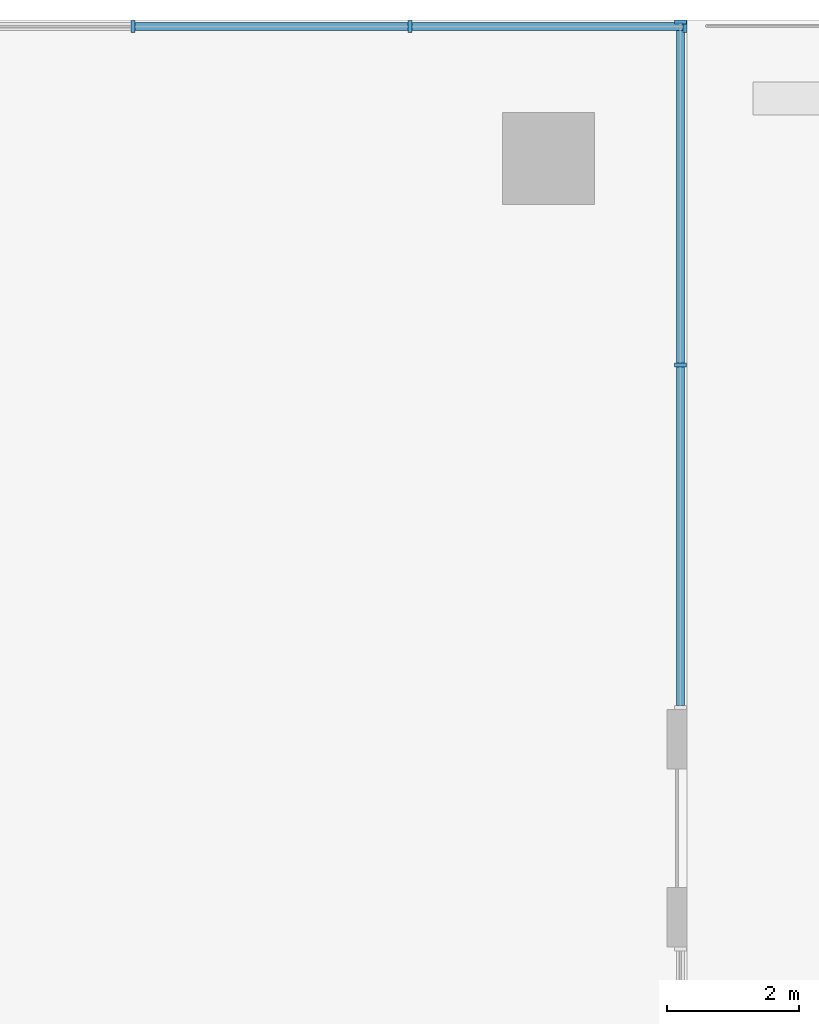
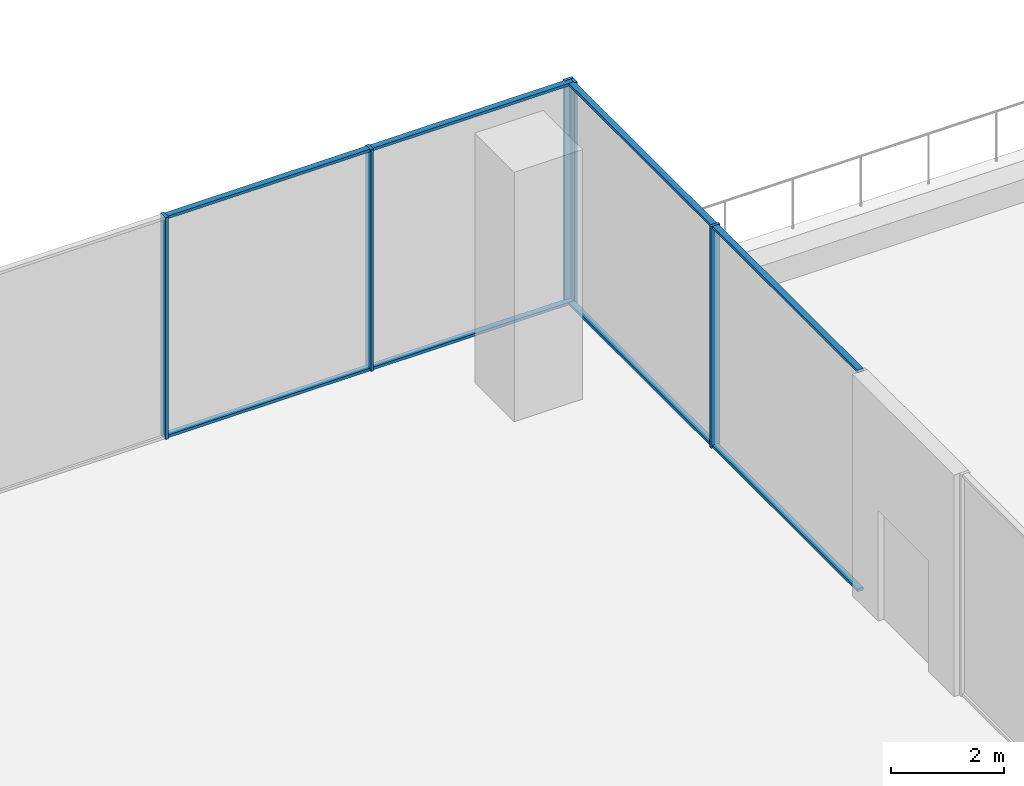
# One storey, part 11 of 21: 13 members, 2 elements without a shape of their own.
"""IFC4 building model written with IfcOpenShell, lengths in metres."""

from ifc_helpers import new_model, si_unit, direction, frame, origin, origin_2d, place, context, subcontext, project, spatial, rectangle, extrude, source, transform, mapped, material, layer, layer_set, material_profile, profile_set, type_object, element, aggregate, save


model = new_model("IFC4")

# Units and contexts
model_context = context("Model", 3, precision=1e-05, world=origin(), true_north=direction((0.0, 1.0)))
body_context = subcontext(model_context, "Body", "Model", "MODEL_VIEW")
ifc_project = project(units=[si_unit("LENGTHUNIT", "METRE"), si_unit("AREAUNIT", "SQUARE_METRE"), si_unit("VOLUMEUNIT", "CUBIC_METRE"), si_unit("PLANEANGLEUNIT", "RADIAN"), si_unit("MASSUNIT", "GRAM", prefix="KILO")], contexts=[model_context])

# Site, building, storey
site_placement = place(None, origin())
site = spatial("IfcSite", under=ifc_project, at=site_placement, CompositionType="ELEMENT")
building_placement = place(site_placement, origin())
building = spatial("IfcBuilding", under=site, at=building_placement, Name="Aurelian Terraces", CompositionType="ELEMENT")
storey_placement = place(building_placement, frame((0.0, 0.0, 29.1)))
storey = spatial("IfcBuildingStorey", under=building, at=storey_placement, Name="L05", CompositionType="ELEMENT", Elevation=29.1)

# Curtain wall, members
ifc_material_1 = material(Name="Anodised aluminium and clear glazing", Category="aluminium")
ifc_layer = layer(ifc_material_1, 0.2)
ifc_layer_set = layer_set([ifc_layer], Name="Winter garden glazing curtain wall")
curtain_wall_type = type_object("IfcCurtainWallType", Name="Winter garden glazing curtain wall", PredefinedType="NOTDEFINED", material=ifc_layer_set)
curtain_wall_1_placement = place(storey_placement, origin())
curtain_wall_1 = element("IfcCurtainWall", 1, at=curtain_wall_1_placement, inside=storey, type_object=curtain_wall_type, Name="Winter garden glazing L05 F04.3", PredefinedType="NOTDEFINED")
ifc_material_2 = material(Name="Anodised aluminium", Category="aluminium")
ifc_material_profile_1 = material_profile(ifc_material_2, rectangle(XDim=0.12, YDim=0.06, at=origin_2d()))
ifc_profile_set_1 = profile_set([ifc_material_profile_1], Name="Anodised aluminium")
member_type_1 = type_object("IfcMemberType", Name="Winter garden glazing transom", PredefinedType="USERDEFINED", material=ifc_profile_set_1)
member_1_placement = place(storey_placement, frame((39.8, 61.42, 0.03), z_axis=(0.0, 1.0, 0.0), x_axis=(-1.0, 0.0, 0.0)))
member_1 = element("IfcMember", 2, at=member_1_placement, type_object=member_type_1, Name="CW6 transom 1.1", ObjectType="TRANSOM", PredefinedType="USERDEFINED", context=body_context, shape_type="SweptSolid", body=[
    extrude(rectangle(XDim=0.12, YDim=0.06, at=origin_2d()), origin(), (0.0, 0.0, 1.0), 5.14),
])
ifc_material_profile_2 = material_profile(ifc_material_2, rectangle(XDim=0.18, YDim=0.06, at=origin_2d()))
ifc_profile_set_2 = profile_set([ifc_material_profile_2], Name="Anodised aluminium")
member_type_2 = type_object("IfcMemberType", Name="Winter garden glazing mullion", PredefinedType="MULLION", material=ifc_profile_set_2)
shared_shape_1 = source(origin(), body_context, "Body", "SweptSolid", [
    extrude(rectangle(XDim=0.18, YDim=0.06, at=origin_2d()), origin(), (0.0, 0.0, 1.0), 4.8),
])
member_2_placement = place(storey_placement, frame((39.8, 66.59, 0.0), z_axis=(0.0, 0.0, 1.0), x_axis=(-1.0, 0.0, 0.0)))
member_2 = element("IfcMember", 3, at=member_2_placement, type_object=member_type_2, Name="CW6 mullion 2", PredefinedType="MULLION", context=body_context, shape_type="MappedRepresentation", body=[
    mapped(shared_shape_1, transform((0.0, 0.0, 0.0), scale=1.0)),
])
member_3_placement = place(storey_placement, frame((39.8, 71.79, 0.0), z_axis=(0.0, 0.0, 1.0), x_axis=(-1.0, 0.0, 0.0)))
member_3 = element("IfcMember", 4, at=member_3_placement, type_object=member_type_2, Name="CW6 mullion 3", PredefinedType="MULLION", context=body_context, shape_type="MappedRepresentation", body=[
    mapped(shared_shape_1, transform((0.0, 0.0, 0.0), scale=1.0)),
])

curtain_wall_2_placement = place(storey_placement, origin())
curtain_wall_2 = element("IfcCurtainWall", 5, at=curtain_wall_2_placement, inside=storey, type_object=curtain_wall_type, Name="Winter garden glazing L05 F05.1", PredefinedType="NOTDEFINED")
member_4_placement = place(storey_placement, frame((39.87, 71.72, 0.0), z_axis=(0.0, 0.0, 1.0), x_axis=(0.0, -1.0, 0.0)))
member_4 = element("IfcMember", 6, at=member_4_placement, type_object=member_type_2, Name="CW6 mullion 1", PredefinedType="MULLION", context=body_context, shape_type="MappedRepresentation", body=[
    mapped(shared_shape_1, transform((0.0, 0.0, 0.0), scale=1.0)),
])
member_5_placement = place(storey_placement, frame((35.7, 71.72, 0.0), z_axis=(0.0, 0.0, 1.0), x_axis=(0.0, -1.0, 0.0)))
member_5 = element("IfcMember", 7, at=member_5_placement, type_object=member_type_2, Name="CW6 mullion 2", PredefinedType="MULLION", context=body_context, shape_type="MappedRepresentation", body=[
    mapped(shared_shape_1, transform((0.0, 0.0, 0.0), scale=1.0)),
])
member_6_placement = place(storey_placement, frame((31.5, 71.72, 0.0), z_axis=(0.0, 0.0, 1.0), x_axis=(0.0, -1.0, 0.0)))
member_6 = element("IfcMember", 8, at=member_6_placement, type_object=member_type_2, Name="CW6 mullion 3", PredefinedType="MULLION", context=body_context, shape_type="MappedRepresentation", body=[
    mapped(shared_shape_1, transform((0.0, 0.0, 0.0), scale=1.0)),
])
shared_shape_2 = source(origin(), body_context, "Body", "SweptSolid", [
    extrude(rectangle(XDim=0.12, YDim=0.06, at=origin_2d()), origin(), (0.0, 0.0, 1.0), 4.11),
])
member_7_placement = place(storey_placement, frame((39.84, 71.72, 0.03), z_axis=(-1.0, 0.0, 0.0), x_axis=(0.0, -1.0, 0.0)))
member_7 = element("IfcMember", 9, at=member_7_placement, type_object=member_type_1, Name="CW6 transom 1.1", ObjectType="TRANSOM", PredefinedType="USERDEFINED", context=body_context, shape_type="MappedRepresentation", body=[
    mapped(shared_shape_2, transform((0.0, 0.0, 0.0), scale=1.0)),
])
member_8_placement = place(storey_placement, frame((39.84, 71.72, 4.77), z_axis=(-1.0, 0.0, 0.0), x_axis=(0.0, -1.0, 0.0)))
member_8 = element("IfcMember", 10, at=member_8_placement, type_object=member_type_1, Name="CW6 transom 1.2", ObjectType="TRANSOM", PredefinedType="USERDEFINED", context=body_context, shape_type="MappedRepresentation", body=[
    mapped(shared_shape_2, transform((0.0, 0.0, 0.0), scale=1.0)),
])
shared_shape_3 = source(origin(), body_context, "Body", "SweptSolid", [
    extrude(rectangle(XDim=0.12, YDim=0.06, at=origin_2d()), origin(), (0.0, 0.0, 1.0), 4.14),
])
member_9_placement = place(storey_placement, frame((35.67, 71.72, 0.03), z_axis=(-1.0, 0.0, 0.0), x_axis=(0.0, -1.0, 0.0)))
member_9 = element("IfcMember", 11, at=member_9_placement, type_object=member_type_1, Name="CW6 transom 2.1", ObjectType="TRANSOM", PredefinedType="USERDEFINED", context=body_context, shape_type="MappedRepresentation", body=[
    mapped(shared_shape_3, transform((0.0, 0.0, 0.0), scale=1.0)),
])
member_10_placement = place(storey_placement, frame((35.67, 71.72, 4.77), z_axis=(-1.0, 0.0, 0.0), x_axis=(0.0, -1.0, 0.0)))
member_10 = element("IfcMember", 12, at=member_10_placement, type_object=member_type_1, Name="CW6 transom 2.2", ObjectType="TRANSOM", PredefinedType="USERDEFINED", context=body_context, shape_type="MappedRepresentation", body=[
    mapped(shared_shape_3, transform((0.0, 0.0, 0.0), scale=1.0)),
])
aggregate(curtain_wall_2, [member_4, member_5, member_6, member_7, member_8, member_9, member_10])

# Member
shared_shape_4 = source(origin(), body_context, "Body", "SweptSolid", [
    extrude(rectangle(XDim=0.12, YDim=0.06, at=origin_2d()), origin(), (0.0, 0.0, 1.0), 5.14),
])
member_11_placement = place(storey_placement, frame((39.8, 61.42, 4.77), z_axis=(0.0, 1.0, 0.0), x_axis=(-1.0, 0.0, 0.0)))
member_11 = element("IfcMember", 13, at=member_11_placement, type_object=member_type_1, Name="CW6 transom 1.2", ObjectType="TRANSOM", PredefinedType="USERDEFINED", context=body_context, shape_type="MappedRepresentation", body=[
    mapped(shared_shape_4, transform((0.0, 0.0, 0.0), scale=1.0)),
])

member_12_placement = place(storey_placement, frame((39.8, 66.62, 0.03), z_axis=(0.0, 1.0, 0.0), x_axis=(-1.0, 0.0, 0.0)))
member_12 = element("IfcMember", 14, at=member_12_placement, type_object=member_type_1, Name="CW6 transom 2.1", ObjectType="TRANSOM", PredefinedType="USERDEFINED", context=body_context, shape_type="MappedRepresentation", body=[
    mapped(shared_shape_4, transform((0.0, 0.0, 0.0), scale=1.0)),
])

member_13_placement = place(storey_placement, frame((39.8, 66.62, 4.77), z_axis=(0.0, 1.0, 0.0), x_axis=(-1.0, 0.0, 0.0)))
member_13 = element("IfcMember", 15, at=member_13_placement, type_object=member_type_1, Name="CW6 transom 2.2", ObjectType="TRANSOM", PredefinedType="USERDEFINED", context=body_context, shape_type="MappedRepresentation", body=[
    mapped(shared_shape_4, transform((0.0, 0.0, 0.0), scale=1.0)),
])

aggregate(curtain_wall_1, [member_2, member_3, member_1, member_11, member_12, member_13])

save(model, "model.ifc")
